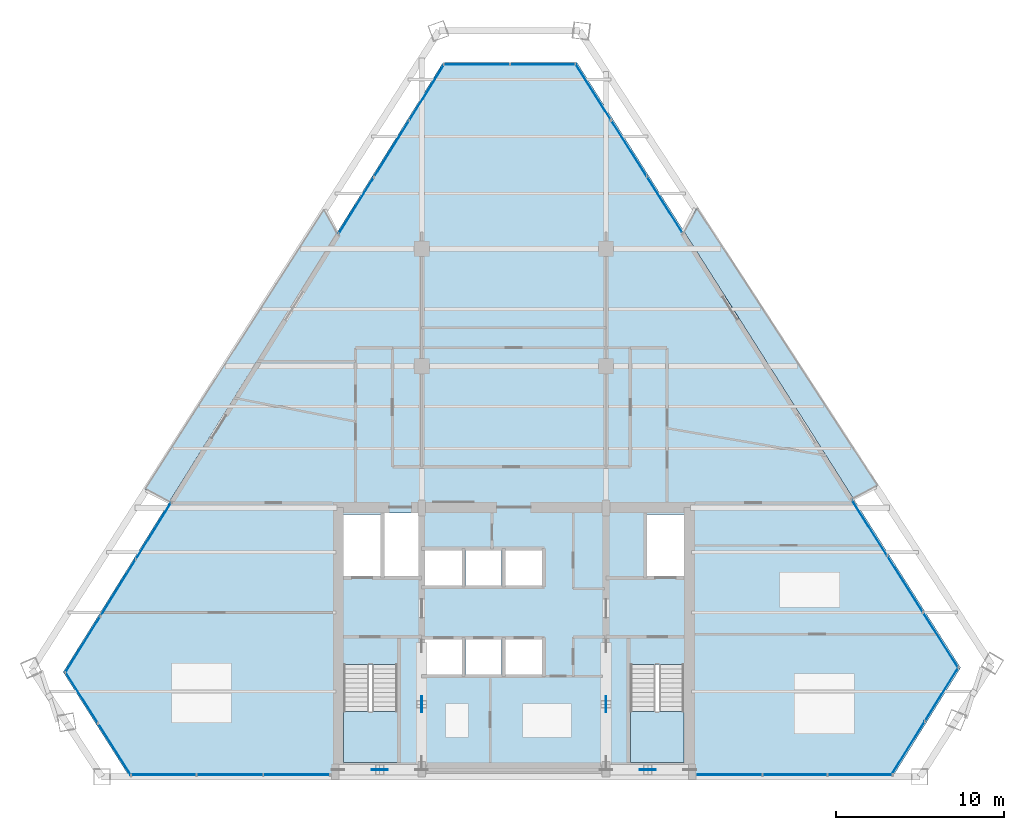
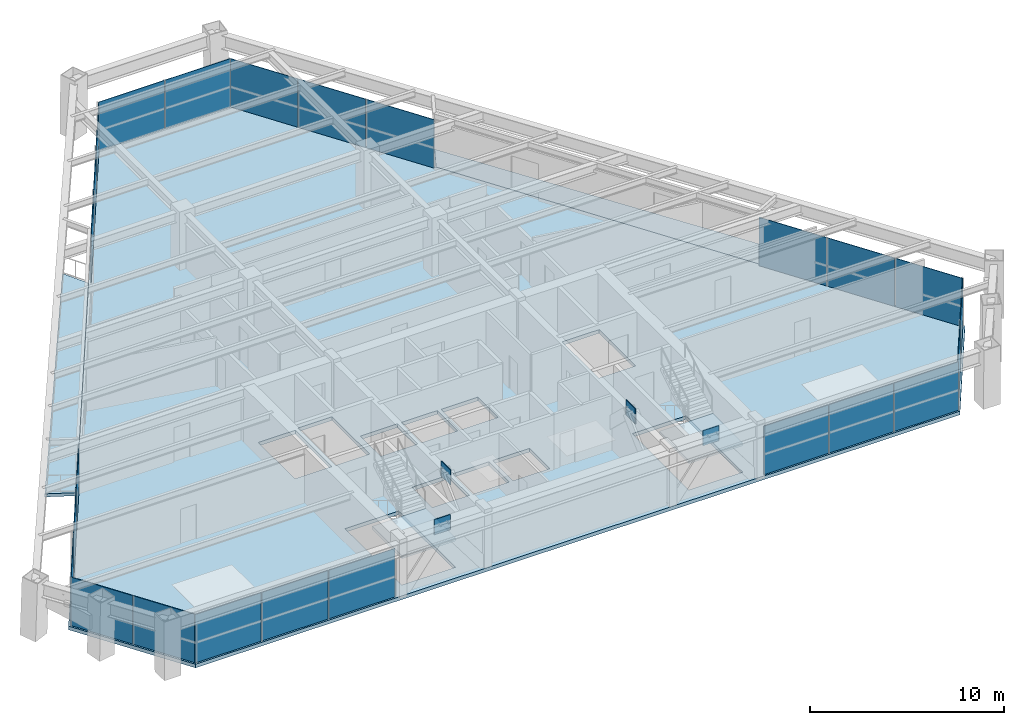
# One storey, part 10 of 15: 28 plates, 5 slabs, 11 elements without a shape of their own.
"""IFC4 building model written with IfcOpenShell, lengths in metres."""

from ifc_helpers import new_model, si_unit, direction, frame, origin, origin_2d, place, context, subcontext, project, spatial, polyline, rectangle, outline, extrude, source, transform, mapped, material, layer, layer_set, type_object, element, aggregate, save


model = new_model("IFC4")

# Units and contexts
model_context = context("Model", 3, precision=1e-05, world=origin(), true_north=direction((0.0, 1.0)))
body_context = subcontext(model_context, "Body", "Model", "MODEL_VIEW")
ifc_project = project(units=[si_unit("LENGTHUNIT", "METRE"), si_unit("AREAUNIT", "SQUARE_METRE"), si_unit("VOLUMEUNIT", "CUBIC_METRE"), si_unit("PLANEANGLEUNIT", "RADIAN"), si_unit("MASSUNIT", "GRAM", prefix="KILO")], contexts=[model_context])

# Site, building, storey
site_placement = place(None, origin())
site = spatial("IfcSite", under=ifc_project, at=site_placement, CompositionType="ELEMENT")
building_placement = place(site_placement, origin())
building = spatial("IfcBuilding", under=site, at=building_placement, Name="Varnakhor Terracotta Tower", CompositionType="ELEMENT")
storey_placement = place(building_placement, frame((0.0, 0.0, 182.10009765625)))
storey = spatial("IfcBuildingStorey", under=building, at=storey_placement, Name="L46", CompositionType="ELEMENT", Elevation=182.10009765625)

# Stair, slab
ifc_material_1 = material(Name="Concrete C40/50", Category="concrete")
stair_type = type_object("IfcStairType", Name="STR-CORE-OFFICE-1500", PredefinedType="HALF_TURN_STAIR", material=ifc_material_1)
stair_1_placement = place(storey_placement, origin())
stair_1 = element("IfcStair", 1, at=stair_1_placement, inside=storey, type_object=stair_type, Name="L46 Core Exit Stair ST-1", PredefinedType="HALF_TURN_STAIR")
ifc_layer_1 = layer(ifc_material_1, 0.179931640625, Name="Concrete C40/50")
ifc_layer_set_1 = layer_set([ifc_layer_1], Name="Concrete C40/50")
slab_type_1 = type_object("IfcSlabType", Name="SLB-LANDING-180", PredefinedType="LANDING", material=ifc_layer_set_1)
slab_1_placement = place(storey_placement, frame((0.0, 0.0, 1.64990234375)))
slab_1 = element("IfcSlab", 2, at=slab_1_placement, type_object=slab_type_1, Name="ST-1 landing 1", PredefinedType="LANDING", context=body_context, shape_type="SweptSolid", body=[
    extrude(outline(polyline([(-10.14990234375, 3.909912109375), (-10.14990234375, 0.85009765625), (-6.949951171875, 0.85009765625), (-6.949951171875, 3.909912109375), (-10.14990234375, 3.909912109375)])), origin(), (0.0, 0.0, 1.0), 0.199951171875),
])
aggregate(stair_1, [slab_1])

stair_2_placement = place(storey_placement, origin())
stair_2 = element("IfcStair", 3, at=stair_2_placement, inside=storey, type_object=stair_type, Name="L46 Core Exit Stair ST-2", PredefinedType="HALF_TURN_STAIR")
slab_2_placement = place(storey_placement, frame((0.0, 0.0, 1.64990234375)))
slab_2 = element("IfcSlab", 4, at=slab_2_placement, type_object=slab_type_1, Name="ST-2 landing 1", PredefinedType="LANDING", context=body_context, shape_type="SweptSolid", body=[
    extrude(outline(polyline([(6.949951171875, 3.909912109375), (6.949951171875, 0.85009765625), (10.14990234375, 0.85009765625), (10.14990234375, 3.909912109375), (6.949951171875, 3.909912109375)])), origin(), (0.0, 0.0, 1.0), 0.199951171875),
])
aggregate(stair_2, [slab_2])

# Slabs
ifc_layer_2 = layer(ifc_material_1, 0.195068359375, Name="Concrete C40/50")
ifc_layer_set_2 = layer_set([ifc_layer_2], Name="Concrete C40/50")
slab_type_2 = type_object("IfcSlabType", Name="SLB-LOGGIA-EXT-195", PredefinedType="FLOOR", material=ifc_layer_set_2)
slab_3_placement = place(storey_placement, frame((0.0, 0.0, -0.195068359375)))
element("IfcSlab", 5, at=slab_3_placement, inside=storey, type_object=slab_type_2, Name="L46 E Recessed Outdoor Loggia Slab", PredefinedType="FLOOR", context=body_context, shape_type="SweptSolid", body=[
    extrude(outline(polyline([(10.91162109375, 33.945068359375), (21.699951171875, 17.353271484375), (20.24658203125, 16.62353515625), (10.172119140625, 32.517578125), (10.91162109375, 33.945068359375)])), origin(), (0.0, 0.0, 1.0), 0.195068359375),
])
slab_4_placement = place(storey_placement, frame((0.0, 0.0, -0.195068359375)))
element("IfcSlab", 6, at=slab_4_placement, inside=storey, type_object=slab_type_2, Name="L46 W Recessed Outdoor Loggia Slab", PredefinedType="FLOOR", context=body_context, shape_type="SweptSolid", body=[
    extrude(outline(polyline([(-22.00341796875, 17.157470703125), (-11.30859375, 33.868896484375), (-10.56591796875, 32.44482421875), (-20.252685546875, 16.899169921875), (-20.54150390625, 16.435791015625), (-22.00341796875, 17.157470703125)])), origin(), (0.0, 0.0, 1.0), 0.195068359375),
])
ifc_layer_3 = layer(ifc_material_1, 0.22998046875, Name="Concrete C40/50")
ifc_layer_set_3 = layer_set([ifc_layer_3], Name="Concrete C40/50")
slab_type_3 = type_object("IfcSlabType", Name="SLB-OFF-230", PredefinedType="FLOOR", material=ifc_layer_set_3)
slab_5_placement = place(storey_placement, frame((0.0, 0.0, -0.22998046875)))
element("IfcSlab", 7, at=slab_5_placement, inside=storey, type_object=slab_type_3, Name="L46 Structural Floor Slab", PredefinedType="FLOOR", context=body_context, shape_type="SweptSolid", body=[
    extrude(outline(polyline([(-26.8896484375, 6.24853515625), (-4.2177734375, 42.632080078125), (3.76123046875, 42.632080078125), (26.65771484375, 6.509033203125), (22.6015625, 0.0), (-22.92919921875, 0.0), (-26.8896484375, 6.24853515625)]), holes=[polyline([(-6.949951171875, 0.85009765625), (-6.949951171875, 6.695068359375), (-10.14990234375, 6.695068359375), (-10.14990234375, 0.85009765625), (-6.949951171875, 0.85009765625)]), polyline([(-3.10009765625, 6.10009765625), (-3.10009765625, 8.199951171875), (-5.300048828125, 8.199951171875), (-5.300048828125, 6.10009765625), (-3.10009765625, 6.10009765625)]), polyline([(-0.719970703125, 6.10009765625), (-0.719970703125, 8.199951171875), (-2.8798828125, 8.199951171875), (-2.8798828125, 6.10009765625), (-0.719970703125, 6.10009765625)]), polyline([(-5.300048828125, 11.419921875), (-3.10009765625, 11.419921875), (-3.10009765625, 13.52001953125), (-5.300048828125, 13.52001953125), (-5.300048828125, 11.419921875)]), polyline([(-10.14990234375, 11.8798828125), (-7.949951171875, 11.8798828125), (-7.949951171875, 15.64990234375), (-10.14990234375, 15.64990234375), (-10.14990234375, 11.8798828125)]), polyline([(-5.699951171875, 11.8798828125), (-5.699951171875, 15.75), (-7.72998046875, 15.75), (-7.72998046875, 11.8798828125), (-5.699951171875, 11.8798828125)]), polyline([(6.949951171875, 0.85009765625), (10.14990234375, 0.85009765625), (10.14990234375, 6.695068359375), (6.949951171875, 6.695068359375), (6.949951171875, 0.85009765625)]), polyline([(-0.5, 6.10009765625), (1.699951171875, 6.10009765625), (1.699951171875, 8.199951171875), (-0.5, 8.199951171875), (-0.5, 6.10009765625)]), polyline([(-0.719970703125, 11.419921875), (-0.719970703125, 13.52001953125), (-2.8798828125, 13.52001953125), (-2.8798828125, 11.419921875), (-0.719970703125, 11.419921875)]), polyline([(-0.5, 11.419921875), (1.699951171875, 11.419921875), (1.699951171875, 13.52001953125), (-0.5, 13.52001953125), (-0.5, 11.419921875)]), polyline([(7.949951171875, 11.8798828125), (10.14990234375, 11.8798828125), (10.14990234375, 15.64990234375), (7.949951171875, 15.64990234375), (7.949951171875, 11.8798828125)])]), origin(), (0.0, 0.0, 1.0), 0.22998046875),
])

# Plates
ifc_material_2 = material(Name="Steel S460", Category="steel")
ifc_layer_4 = layer(ifc_material_2, 0.050048828125, Name="Steel S460")
ifc_layer_set_4 = layer_set([ifc_layer_4], Name="Steel S460")
plate_type_1 = type_object("IfcPlateType", Name="PLT-GUSSET-50", PredefinedType="USERDEFINED", material=ifc_layer_set_4)
shared_shape_1 = source(origin(), body_context, "Body", "SweptSolid", [
    extrude(rectangle(XDim=0.949951171875, YDim=0.044921875, at=origin_2d()), origin(), (0.0, 0.0, 1.0), 0.949951171875),
])
for number, where, z_axis, x_axis, name in (
    (8, (-8.0, 0.419921875, 2.8447265625), (0.0, 0.0, 1.0), (1.0, 0.0, 0.0), "L46 Core Brace Apex Gusset CSW"),
    (9, (8.0, 0.419921875, 2.8447265625), (0.0, 0.0, 1.0), (1.0, 0.0, 0.0), "L46 Core Brace Apex Gusset CSE"),
    (10, (-5.5, 4.324951171875, 2.8447265625), (0.0, 0.0, 1.0), (0.0, 1.0, 0.0), "L46 Core Brace Apex Gusset CWW"),
    (11, (5.5, 4.324951171875, 2.8447265625), (0.0, 0.0, 1.0), (0.0, 1.0, 0.0), "L46 Core Brace Apex Gusset CWE"),
):
    element("IfcPlate", number, at=place(storey_placement, frame(where, z_axis=z_axis, x_axis=x_axis)), inside=storey, type_object=plate_type_1, Name=name, ObjectType="GUSSET PLATE", PredefinedType="USERDEFINED", context=body_context, shape_type="MappedRepresentation", body=[
        mapped(shared_shape_1, transform((0.0, 0.0, 0.0), scale=1.0)),
    ])

# Curtain wall, plates
ifc_material_3 = material(Name="Anodised Aluminium Curtain Wall System", Category="aluminium")
curtain_wall_type = type_object("IfcCurtainWallType", Name="CW-SYS-MID-OFFICE", PredefinedType="NOTDEFINED", material=ifc_material_3)
curtain_wall_1_placement = place(storey_placement, origin())
curtain_wall_1 = element("IfcCurtainWall", 12, at=curtain_wall_1_placement, inside=storey, type_object=curtain_wall_type, Name="L46 Facet Curtain Wall 2", PredefinedType="NOTDEFINED")
ifc_material_4 = material(Name="Solar-Control Low-E Insulated Glass Panel", Category="glass")
ifc_layer_5 = layer(ifc_material_4, 0.035888671875, Name="Solar-Control Low-E Insulated Glass Panel")
ifc_layer_set_5 = layer_set([ifc_layer_5], Name="Solar-Control Low-E Insulated Glass Panel")
plate_type_2 = type_object("IfcPlateType", Name="CWP-03", PredefinedType="CURTAIN_PANEL", material=ifc_layer_set_5)
shared_shape_2 = source(origin(), body_context, "Body", "SweptSolid", [
    extrude(rectangle(XDim=3.91943359375, YDim=0.035888671875, at=origin_2d()), origin(), (0.0, 0.0, 1.0), 3.050048828125),
])
plate_1_placement = place(storey_placement, frame((-2.2080078125, 42.51220703125, 0.0), z_axis=(0.0, 0.0, 1.0), x_axis=(1.0, 0.0, 0.0)))
plate_1 = element("IfcPlate", 13, at=plate_1_placement, type_object=plate_type_2, Name="L46 Facet Curtain Wall 2 Glazed Panel 1", PredefinedType="CURTAIN_PANEL", context=body_context, shape_type="MappedRepresentation", body=[
    mapped(shared_shape_2, transform((0.0, 0.0, 0.0), scale=1.0)),
])
plate_2_placement = place(storey_placement, frame((1.75146484375, 42.51220703125, 0.0), z_axis=(0.0, 0.0, 1.0), x_axis=(1.0, 0.0, 0.0)))
plate_2 = element("IfcPlate", 14, at=plate_2_placement, type_object=plate_type_2, Name="L46 Facet Curtain Wall 2 Glazed Panel 2", PredefinedType="CURTAIN_PANEL", context=body_context, shape_type="MappedRepresentation", body=[
    mapped(shared_shape_2, transform((0.0, 0.0, 0.0), scale=1.0)),
])
aggregate(curtain_wall_1, [plate_1, plate_2])

curtain_wall_2_placement = place(storey_placement, origin())
curtain_wall_2 = element("IfcCurtainWall", 15, at=curtain_wall_2_placement, inside=storey, type_object=curtain_wall_type, Name="L46 W Facet Curtain Wall 1", PredefinedType="NOTDEFINED")
shared_shape_3 = source(origin(), body_context, "Body", "SweptSolid", [
    extrude(rectangle(XDim=3.941162109375, YDim=0.035888671875, at=origin_2d()), origin(), (0.0, 0.0, 1.0), 3.050048828125),
])
plate_3_placement = place(storey_placement, frame((-25.718994140625, 7.89990234375, 0.0), z_axis=(0.0, 0.0, 1.0), x_axis=(0.528853157439, 0.848713342576, 0.0)))
plate_3 = element("IfcPlate", 16, at=plate_3_placement, type_object=plate_type_2, Name="L46 W Facet Curtain Wall 1 Glazed Panel 1", PredefinedType="CURTAIN_PANEL", context=body_context, shape_type="MappedRepresentation", body=[
    mapped(shared_shape_3, transform((0.0, 0.0, 0.0), scale=1.0)),
])
plate_4_placement = place(storey_placement, frame((-23.61376953125, 11.27880859375, 0.0), z_axis=(0.0, 0.0, 1.0), x_axis=(0.528853157439, 0.848713342576, 0.0)))
plate_4 = element("IfcPlate", 17, at=plate_4_placement, type_object=plate_type_2, Name="L46 W Facet Curtain Wall 1 Glazed Panel 2", PredefinedType="CURTAIN_PANEL", context=body_context, shape_type="MappedRepresentation", body=[
    mapped(shared_shape_3, transform((0.0, 0.0, 0.0), scale=1.0)),
])
plate_5_placement = place(storey_placement, frame((-21.50830078125, 14.65771484375, 0.0), z_axis=(0.0, 0.0, 1.0), x_axis=(0.528853157439, 0.848713342576, 0.0)))
plate_5 = element("IfcPlate", 18, at=plate_5_placement, type_object=plate_type_2, Name="L46 W Facet Curtain Wall 1 Glazed Panel 3", PredefinedType="CURTAIN_PANEL", context=body_context, shape_type="MappedRepresentation", body=[
    mapped(shared_shape_3, transform((0.0, 0.0, 0.0), scale=1.0)),
])
aggregate(curtain_wall_2, [plate_3, plate_4, plate_5])

curtain_wall_3_placement = place(storey_placement, origin())
curtain_wall_3 = element("IfcCurtainWall", 19, at=curtain_wall_3_placement, inside=storey, type_object=curtain_wall_type, Name="L46 W Facet Curtain Wall 2", PredefinedType="NOTDEFINED")
plate_6_placement = place(storey_placement, frame((-9.3955078125, 34.09619140625, 0.0), z_axis=(0.0, 0.0, 1.0), x_axis=(0.528853157439, 0.848713342576, 0.0)))
plate_6 = element("IfcPlate", 20, at=plate_6_placement, type_object=plate_type_2, Name="L46 W Facet Curtain Wall 2 Glazed Panel 1", PredefinedType="CURTAIN_PANEL", context=body_context, shape_type="MappedRepresentation", body=[
    mapped(shared_shape_3, transform((0.0, 0.0, 0.0), scale=1.0)),
])
plate_7_placement = place(storey_placement, frame((-7.2900390625, 37.47509765625, 0.0), z_axis=(0.0, 0.0, 1.0), x_axis=(0.528853157439, 0.848713342576, 0.0)))
plate_7 = element("IfcPlate", 21, at=plate_7_placement, type_object=plate_type_2, Name="L46 W Facet Curtain Wall 2 Glazed Panel 2", PredefinedType="CURTAIN_PANEL", context=body_context, shape_type="MappedRepresentation", body=[
    mapped(shared_shape_3, transform((0.0, 0.0, 0.0), scale=1.0)),
])
plate_8_placement = place(storey_placement, frame((-5.1845703125, 40.85400390625, 0.0), z_axis=(0.0, 0.0, 1.0), x_axis=(0.528853157439, 0.848713342576, 0.0)))
plate_8 = element("IfcPlate", 22, at=plate_8_placement, type_object=plate_type_2, Name="L46 W Facet Curtain Wall 2 Glazed Panel 3", PredefinedType="CURTAIN_PANEL", context=body_context, shape_type="MappedRepresentation", body=[
    mapped(shared_shape_3, transform((0.0, 0.0, 0.0), scale=1.0)),
])
aggregate(curtain_wall_3, [plate_6, plate_7, plate_8])

curtain_wall_4_placement = place(storey_placement, origin())
curtain_wall_4 = element("IfcCurtainWall", 23, at=curtain_wall_4_placement, inside=storey, type_object=curtain_wall_type, Name="L46 E Facet Curtain Wall 1", PredefinedType="NOTDEFINED")
shared_shape_4 = source(origin(), body_context, "Body", "SweptSolid", [
    extrude(rectangle(XDim=3.931640625, YDim=0.035888671875, at=origin_2d()), origin(), (0.0, 0.0, 1.0), 3.050048828125),
])
plate_9_placement = place(storey_placement, frame((4.739013671875, 40.865234375, 0.0), z_axis=(0.0, 0.0, 1.0), x_axis=(0.535355149761, -0.844627055939, 0.0)))
plate_9 = element("IfcPlate", 24, at=plate_9_placement, type_object=plate_type_2, Name="L46 E Facet Curtain Wall 1 Glazed Panel 1", PredefinedType="CURTAIN_PANEL", context=body_context, shape_type="MappedRepresentation", body=[
    mapped(shared_shape_4, transform((0.0, 0.0, 0.0), scale=1.0)),
])
plate_10_placement = place(storey_placement, frame((6.865234375, 37.5107421875, 0.0), z_axis=(0.0, 0.0, 1.0), x_axis=(0.535355149761, -0.844627055939, 0.0)))
plate_10 = element("IfcPlate", 25, at=plate_10_placement, type_object=plate_type_2, Name="L46 E Facet Curtain Wall 1 Glazed Panel 2", PredefinedType="CURTAIN_PANEL", context=body_context, shape_type="MappedRepresentation", body=[
    mapped(shared_shape_4, transform((0.0, 0.0, 0.0), scale=1.0)),
])
plate_11_placement = place(storey_placement, frame((8.99169921875, 34.156005859375, 0.0), z_axis=(0.0, 0.0, 1.0), x_axis=(0.535355149761, -0.844627055939, 0.0)))
plate_11 = element("IfcPlate", 26, at=plate_11_placement, type_object=plate_type_2, Name="L46 E Facet Curtain Wall 1 Glazed Panel 3", PredefinedType="CURTAIN_PANEL", context=body_context, shape_type="MappedRepresentation", body=[
    mapped(shared_shape_4, transform((0.0, 0.0, 0.0), scale=1.0)),
])
aggregate(curtain_wall_4, [plate_9, plate_10, plate_11])

curtain_wall_5_placement = place(storey_placement, origin())
curtain_wall_5 = element("IfcCurtainWall", 27, at=curtain_wall_5_placement, inside=storey, type_object=curtain_wall_type, Name="L46 E Facet Curtain Wall 2", PredefinedType="NOTDEFINED")
plate_12_placement = place(storey_placement, frame((21.224609375, 14.856689453125, 0.0), z_axis=(0.0, 0.0, 1.0), x_axis=(0.535355149761, -0.844627055939, 0.0)))
plate_12 = element("IfcPlate", 28, at=plate_12_placement, type_object=plate_type_2, Name="L46 E Facet Curtain Wall 2 Glazed Panel 1", PredefinedType="CURTAIN_PANEL", context=body_context, shape_type="MappedRepresentation", body=[
    mapped(shared_shape_4, transform((0.0, 0.0, 0.0), scale=1.0)),
])
plate_13_placement = place(storey_placement, frame((23.350830078125, 11.501953125, 0.0), z_axis=(0.0, 0.0, 1.0), x_axis=(0.535355149761, -0.844627055939, 0.0)))
plate_13 = element("IfcPlate", 29, at=plate_13_placement, type_object=plate_type_2, Name="L46 E Facet Curtain Wall 2 Glazed Panel 2", PredefinedType="CURTAIN_PANEL", context=body_context, shape_type="MappedRepresentation", body=[
    mapped(shared_shape_4, transform((0.0, 0.0, 0.0), scale=1.0)),
])
plate_14_placement = place(storey_placement, frame((25.47705078125, 8.1474609375, 0.0), z_axis=(0.0, 0.0, 1.0), x_axis=(0.535355149761, -0.844627055939, 0.0)))
plate_14 = element("IfcPlate", 30, at=plate_14_placement, type_object=plate_type_2, Name="L46 E Facet Curtain Wall 2 Glazed Panel 3", PredefinedType="CURTAIN_PANEL", context=body_context, shape_type="MappedRepresentation", body=[
    mapped(shared_shape_4, transform((0.0, 0.0, 0.0), scale=1.0)),
])
aggregate(curtain_wall_5, [plate_12, plate_13, plate_14])

curtain_wall_6_placement = place(storey_placement, origin())
curtain_wall_6 = element("IfcCurtainWall", 31, at=curtain_wall_6_placement, inside=storey, type_object=curtain_wall_type, Name="L46 Facet Curtain Wall 4", PredefinedType="NOTDEFINED")
shared_shape_5 = source(origin(), body_context, "Body", "SweptSolid", [
    extrude(rectangle(XDim=3.7646484375, YDim=0.035888671875, at=origin_2d()), origin(), (0.0, 0.0, 1.0), 3.050048828125),
])
plate_15_placement = place(storey_placement, frame((25.533935546875, 4.9326171875, 0.0), z_axis=(0.0, 0.0, 1.0), x_axis=(-0.5288679702, -0.848704112218, 0.0)))
plate_15 = element("IfcPlate", 32, at=plate_15_placement, type_object=plate_type_2, Name="L46 Facet Curtain Wall 4 Glazed Panel 1", PredefinedType="CURTAIN_PANEL", context=body_context, shape_type="MappedRepresentation", body=[
    mapped(shared_shape_5, transform((0.0, 0.0, 0.0), scale=1.0)),
])
plate_16_placement = place(storey_placement, frame((23.521728515625, 1.70361328125, 0.0), z_axis=(0.0, 0.0, 1.0), x_axis=(-0.5288679702, -0.848704112218, 0.0)))
plate_16 = element("IfcPlate", 33, at=plate_16_placement, type_object=plate_type_2, Name="L46 Facet Curtain Wall 4 Glazed Panel 2", PredefinedType="CURTAIN_PANEL", context=body_context, shape_type="MappedRepresentation", body=[
    mapped(shared_shape_5, transform((0.0, 0.0, 0.0), scale=1.0)),
])
aggregate(curtain_wall_6, [plate_15, plate_16])

curtain_wall_7_placement = place(storey_placement, origin())
curtain_wall_7 = element("IfcCurtainWall", 34, at=curtain_wall_7_placement, inside=storey, type_object=curtain_wall_type, Name="L46 South Wing Curtain Wall SSE", PredefinedType="NOTDEFINED")
shared_shape_6 = source(origin(), body_context, "Body", "SweptSolid", [
    extrude(rectangle(XDim=3.833984375, YDim=0.035888671875, at=origin_2d()), origin(), (0.0, 0.0, 1.0), 3.050048828125),
])
plate_17_placement = place(storey_placement, frame((20.65478515625, 0.1201171875, 0.0), z_axis=(0.0, 0.0, 1.0), x_axis=(-1.0, 0.0, 0.0)))
plate_17 = element("IfcPlate", 35, at=plate_17_placement, type_object=plate_type_2, Name="L46 South Wing Curtain Wall SSE Glazed Panel 1", PredefinedType="CURTAIN_PANEL", context=body_context, shape_type="MappedRepresentation", body=[
    mapped(shared_shape_6, transform((0.0, 0.0, 0.0), scale=1.0)),
])
plate_18_placement = place(storey_placement, frame((12.906982421875, 0.1201171875, 0.0), z_axis=(0.0, 0.0, 1.0), x_axis=(-1.0, 0.0, 0.0)))
plate_18 = element("IfcPlate", 36, at=plate_18_placement, type_object=plate_type_2, Name="L46 South Wing Curtain Wall SSE Glazed Panel 3", PredefinedType="CURTAIN_PANEL", context=body_context, shape_type="MappedRepresentation", body=[
    mapped(shared_shape_6, transform((0.0, 0.0, 0.0), scale=1.0)),
])
shared_shape_7 = source(origin(), body_context, "Body", "SweptSolid", [
    extrude(rectangle(XDim=3.833740234375, YDim=0.035888671875, at=origin_2d()), origin(), (0.0, 0.0, 1.0), 3.050048828125),
])
plate_19_placement = place(storey_placement, frame((16.78076171875, 0.1201171875, 0.0), z_axis=(0.0, 0.0, 1.0), x_axis=(-1.0, 0.0, 0.0)))
plate_19 = element("IfcPlate", 37, at=plate_19_placement, type_object=plate_type_2, Name="L46 South Wing Curtain Wall SSE Glazed Panel 2", PredefinedType="CURTAIN_PANEL", context=body_context, shape_type="MappedRepresentation", body=[
    mapped(shared_shape_7, transform((0.0, 0.0, 0.0), scale=1.0)),
])
aggregate(curtain_wall_7, [plate_17, plate_19, plate_18])

curtain_wall_8_placement = place(storey_placement, origin())
curtain_wall_8 = element("IfcCurtainWall", 38, at=curtain_wall_8_placement, inside=storey, type_object=curtain_wall_type, Name="L46 South Wing Curtain Wall SSW", PredefinedType="NOTDEFINED")
shared_shape_8 = source(origin(), body_context, "Body", "SweptSolid", [
    extrude(rectangle(XDim=3.943115234375, YDim=0.035888671875, at=origin_2d()), origin(), (0.0, 0.0, 1.0), 3.050048828125),
])
plate_20_placement = place(storey_placement, frame((-12.96142578125, 0.1201171875, 0.0), z_axis=(0.0, 0.0, 1.0), x_axis=(-1.0, 0.0, 0.0)))
plate_20 = element("IfcPlate", 39, at=plate_20_placement, type_object=plate_type_2, Name="L46 South Wing Curtain Wall SSW Glazed Panel 1", PredefinedType="CURTAIN_PANEL", context=body_context, shape_type="MappedRepresentation", body=[
    mapped(shared_shape_8, transform((0.0, 0.0, 0.0), scale=1.0)),
])
plate_21_placement = place(storey_placement, frame((-16.944580078125, 0.1201171875, 0.0), z_axis=(0.0, 0.0, 1.0), x_axis=(-1.0, 0.0, 0.0)))
plate_21 = element("IfcPlate", 40, at=plate_21_placement, type_object=plate_type_2, Name="L46 South Wing Curtain Wall SSW Glazed Panel 2", PredefinedType="CURTAIN_PANEL", context=body_context, shape_type="MappedRepresentation", body=[
    mapped(shared_shape_8, transform((0.0, 0.0, 0.0), scale=1.0)),
])
plate_22_placement = place(storey_placement, frame((-20.927490234375, 0.1201171875, 0.0), z_axis=(0.0, 0.0, 1.0), x_axis=(-1.0, 0.0, 0.0)))
plate_22 = element("IfcPlate", 41, at=plate_22_placement, type_object=plate_type_2, Name="L46 South Wing Curtain Wall SSW Glazed Panel 3", PredefinedType="CURTAIN_PANEL", context=body_context, shape_type="MappedRepresentation", body=[
    mapped(shared_shape_8, transform((0.0, 0.0, 0.0), scale=1.0)),
])
aggregate(curtain_wall_8, [plate_20, plate_21, plate_22])

curtain_wall_9_placement = place(storey_placement, origin())
curtain_wall_9 = element("IfcCurtainWall", 42, at=curtain_wall_9_placement, inside=storey, type_object=curtain_wall_type, Name="L46 Facet Curtain Wall 6", PredefinedType="NOTDEFINED")
shared_shape_9 = source(origin(), body_context, "Body", "SweptSolid", [
    extrude(rectangle(XDim=3.62890625, YDim=0.035888671875, at=origin_2d()), origin(), (0.0, 0.0, 1.0), 3.050048828125),
])
plate_23_placement = place(storey_placement, frame((-23.825927734375, 1.638916015625, 0.0), z_axis=(0.0, 0.0, 1.0), x_axis=(-0.535355149761, 0.844627055939, 0.0)))
plate_23 = element("IfcPlate", 43, at=plate_23_placement, type_object=plate_type_2, Name="L46 Facet Curtain Wall 6 Glazed Panel 1", PredefinedType="CURTAIN_PANEL", context=body_context, shape_type="MappedRepresentation", body=[
    mapped(shared_shape_9, transform((0.0, 0.0, 0.0), scale=1.0)),
])
plate_24_placement = place(storey_placement, frame((-25.7900390625, 4.73779296875, 0.0), z_axis=(0.0, 0.0, 1.0), x_axis=(-0.535355149761, 0.844627055939, 0.0)))
plate_24 = element("IfcPlate", 44, at=plate_24_placement, type_object=plate_type_2, Name="L46 Facet Curtain Wall 6 Glazed Panel 2", PredefinedType="CURTAIN_PANEL", context=body_context, shape_type="MappedRepresentation", body=[
    mapped(shared_shape_9, transform((0.0, 0.0, 0.0), scale=1.0)),
])
aggregate(curtain_wall_9, [plate_23, plate_24])

save(model, "model.ifc")
